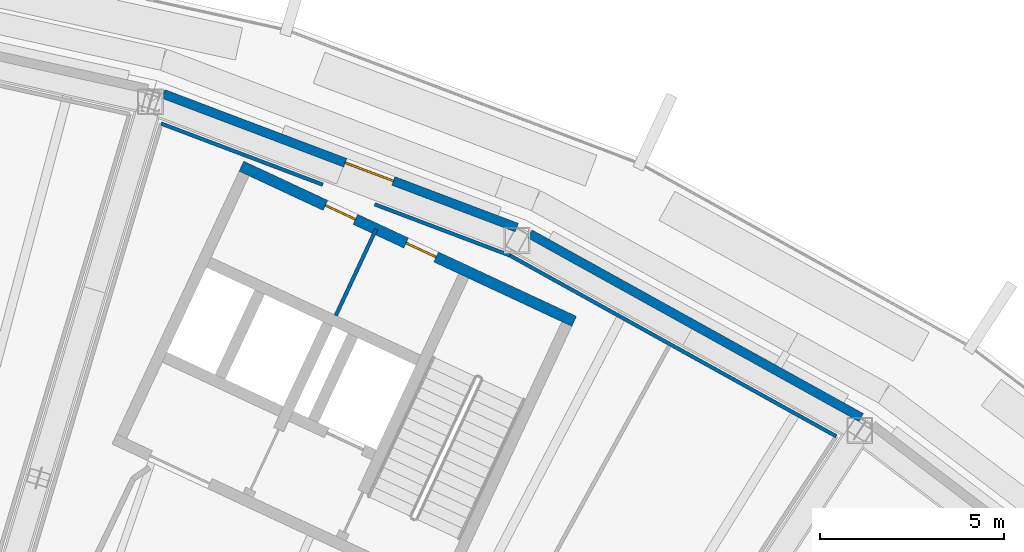
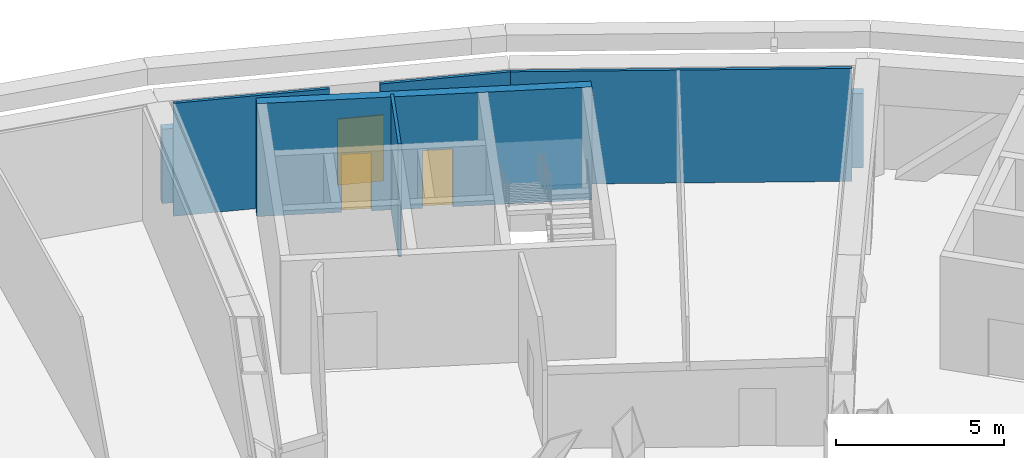
# One storey, part 12 of 25: 7 walls, 3 doors, 3 openings.
"""IFC4 building model written with IfcOpenShell, lengths in metres."""

import ifcopenshell
import ifcopenshell.guid

model = None  # the IFC model being written
_history = None  # IfcOwnerHistory: only IFC2X3 demands one
_inside = {}  # id of a spatial element -> (the spatial element, [elements in it])
_under = {}  # id of a project, library or spatial element -> (it, [spatial elements below it])
_declared = {}  # id of a project -> (the project, [libraries it declares])
_typed = {}  # id of a type object -> (the type object, [elements of that type])
_made_of = {}  # id of a material, layer set ... -> (it, [elements and type objects made of it])


def new_model(schema):
    """Start an empty IFC model of exactly this schema.

    Asked for "IFC4X3", IfcOpenShell would pick the latest addendum, in which some entities
    have other attributes; the version numbers below select the first issue.
    IFC2X3 requires an IfcOwnerHistory on every rooted entity: one is made here for all.
    """
    global model, _history
    if schema == "IFC4X3":
        model = ifcopenshell.file(schema_version=(4, 3, 0, 0))
    else:
        model = ifcopenshell.file(schema=schema)
    _inside.clear()
    _under.clear()
    _declared.clear()
    _typed.clear()
    _made_of.clear()
    _history = None
    if model.schema == "IFC2X3":
        org = make("IfcOrganization", Name="unknown")
        user = make(
            "IfcPersonAndOrganization",
            ThePerson=make("IfcPerson", FamilyName="unknown"),
            TheOrganization=org,
        )
        app = make(
            "IfcApplication",
            ApplicationDeveloper=org,
            Version="unknown",
            ApplicationFullName="unknown",
            ApplicationIdentifier="unknown",
        )
        _history = make(
            "IfcOwnerHistory",
            OwningUser=user,
            OwningApplication=app,
            ChangeAction="ADDED",
            CreationDate=0,
        )
    return model


def make(cls, **values):
    """One entity of the class cls with the attributes given. An attribute that is None is left unset."""
    return model.create_entity(
        cls, **{name: value for name, value in values.items() if value is not None}
    )


def rooted(cls, **values):
    """An entity with a GlobalId (a new one), such as an element, a storey or a relation."""
    return make(cls, GlobalId=ifcopenshell.guid.new(), OwnerHistory=_history, **values)


def si_unit(unit_type, name, prefix=None):
    """IfcSIUnit, for example si_unit("LENGTHUNIT", "METRE", prefix="MILLI")."""
    return make("IfcSIUnit", UnitType=unit_type, Prefix=prefix, Name=name)


def assignment(units):
    """IfcUnitAssignment: the units of a project."""
    return None if units is None else make("IfcUnitAssignment", Units=units)


def point(xyz):
    """IfcCartesianPoint."""
    return None if xyz is None else make("IfcCartesianPoint", Coordinates=xyz)


def direction(xyz):
    """IfcDirection."""
    return None if xyz is None else make("IfcDirection", DirectionRatios=xyz)


def frame(location, z_axis=None, x_axis=None):
    """IfcAxis2Placement3D, a coordinate frame: its origin and axes. An axis left out is left unset."""
    return make(
        "IfcAxis2Placement3D",
        Location=point(location),
        Axis=direction(z_axis),
        RefDirection=direction(x_axis),
    )


def frame_2d(location, x_axis=None):
    """IfcAxis2Placement2D, a coordinate frame in the plane: its origin and x axis."""
    return make(
        "IfcAxis2Placement2D", Location=point(location), RefDirection=direction(x_axis)
    )


def origin():
    """The frame at (0, 0, 0) with its axes left unset."""
    return frame((0.0, 0.0, 0.0))


def place(relative_to, where):
    """IfcLocalPlacement: puts the frame where relative to a parent placement (None: the world)."""
    return make(
        "IfcLocalPlacement", PlacementRelTo=relative_to, RelativePlacement=where
    )


def context(
    kind, dimensions, precision=None, world=None, true_north=None, identifier=None
):
    """IfcGeometricRepresentationContext, for example the 3D "Model" context."""
    return make(
        "IfcGeometricRepresentationContext",
        ContextIdentifier=identifier,
        ContextType=kind,
        CoordinateSpaceDimension=dimensions,
        Precision=precision,
        WorldCoordinateSystem=world,
        TrueNorth=true_north,
    )


def subcontext(parent, identifier, kind, view, scale=None):
    """IfcGeometricRepresentationSubContext, for example "Body" below "Model"."""
    return make(
        "IfcGeometricRepresentationSubContext",
        ContextIdentifier=identifier,
        ContextType=kind,
        ParentContext=parent,
        TargetScale=scale,
        TargetView=view,
    )


def project(units=None, contexts=None):
    """IfcProject with its units and contexts."""
    return rooted(
        "IfcProject",
        Name="project",
        RepresentationContexts=contexts,
        UnitsInContext=assignment(units),
    )


def spatial(cls, under=None, at=None, **own):
    """A site, building, storey or space (cls), placed at a placement, below another one or the project."""
    s = rooted(cls, ObjectPlacement=at, **own)
    if under is not None:
        _under.setdefault(under.id(), (under, []))[1].append(s)
    return s


def profile(cls, at=None, kind="AREA", **sizes):
    """A parametric profile (cls). Its sizes go by their IFC names, for example OverallWidth=200.0."""
    return make(cls, ProfileType=kind, Position=at, **sizes)


def rectangle(**sizes):
    """IfcRectangleProfileDef."""
    return profile("IfcRectangleProfileDef", **sizes)


def extrude(swept, where, along, depth):
    """IfcExtrudedAreaSolid: the profile swept, set in the frame where, extruded along a direction by depth."""
    return make(
        "IfcExtrudedAreaSolid",
        SweptArea=swept,
        Position=where,
        ExtrudedDirection=direction(along),
        Depth=depth,
    )


def shape(context_of_items, identifier, shape_type, items):
    """IfcShapeRepresentation: the items that make up one representation, for example the "Body"."""
    return make(
        "IfcShapeRepresentation",
        ContextOfItems=context_of_items,
        RepresentationIdentifier=identifier,
        RepresentationType=shape_type,
        Items=items,
    )


def material(Name=None, Category=None):
    """IfcMaterial."""
    return make("IfcMaterial", Name=Name, Category=Category)


def layer(
    of_material, thickness, ventilated=None, Name=None, Category=None, Priority=None
):
    """IfcMaterialLayer: one layer of a wall or slab, of a material (None: an air gap)."""
    return make(
        "IfcMaterialLayer",
        Material=of_material,
        LayerThickness=thickness,
        IsVentilated=ventilated,
        Name=Name,
        Category=Category,
        Priority=Priority,
    )


def layer_set(layers, Name=None):
    """IfcMaterialLayerSet."""
    return make("IfcMaterialLayerSet", MaterialLayers=layers, LayerSetName=Name)


def made_of(thing, what):
    """Note that an element or type object is made of a material, layer set ...; save() writes the relation."""
    if what is not None:
        _made_of.setdefault(what.id(), (what, []))[1].append(thing)
    return thing


def type_object(cls, material=None, **own):
    """A type object (cls), such as IfcWallType, which elements share."""
    return made_of(rooted(cls, **own), material)


def element(
    cls,
    number,
    at=None,
    inside=None,
    cuts=None,
    type_object=None,
    material=None,
    context=None,
    identifier="Body",
    shape_type=None,
    held_by="IfcProductDefinitionShape",
    body=None,
    shapes=None,
    **own,
):
    """One element of the class cls, such as IfcWall. Its Tag is "e" and its number.

    at: its placement. inside: the storey or other place that contains it. cuts: it is an
    opening in that element (IfcRelVoidsElement). A single representation is given by context,
    identifier, shape_type and body (its items); several are given by shapes. held_by: the class
    of the entity that holds the representations. save() writes the other relations.
    """
    e = rooted(cls, Tag="e%d" % number, ObjectPlacement=at, **own)
    if body is not None:
        shapes = [shape(context, identifier, shape_type, body)]
    if shapes is not None:
        e.Representation = make(held_by, Representations=shapes)
    if inside is not None:
        _inside.setdefault(inside.id(), (inside, []))[1].append(e)
    if cuts is not None:
        rooted(
            "IfcRelVoidsElement", RelatingBuildingElement=cuts, RelatedOpeningElement=e
        )
    if type_object is not None:
        _typed.setdefault(type_object.id(), (type_object, []))[1].append(e)
    return made_of(e, material)


def fill(opening, filler):
    """IfcRelFillsElement: the door or window that sits in an opening."""
    return rooted(
        "IfcRelFillsElement",
        RelatingOpeningElement=opening,
        RelatedBuildingElement=filler,
    )


def aggregate(whole, parts):
    """IfcRelAggregates: a whole, such as a stair, and the parts it consists of."""
    return rooted("IfcRelAggregates", RelatingObject=whole, RelatedObjects=parts)


def save(model, path):
    """Write the relations noted so far, then the file.

    IfcRelAggregates (storeys below a building ...), IfcRelContainedInSpatialStructure (elements
    in a storey), IfcRelDefinesByType, IfcRelAssociatesMaterial and IfcRelDeclares: one each for
    every whole, place, type object, material and project.
    """
    for whole, parts in _under.values():
        aggregate(whole, parts)
    for where, things in _inside.values():
        rooted(
            "IfcRelContainedInSpatialStructure",
            RelatedElements=things,
            RelatingStructure=where,
        )
    for kind, things in _typed.values():
        rooted("IfcRelDefinesByType", RelatedObjects=things, RelatingType=kind)
    for what, things in _made_of.values():
        rooted("IfcRelAssociatesMaterial", RelatedObjects=things, RelatingMaterial=what)
    for by, libraries in _declared.values():
        rooted("IfcRelDeclares", RelatingContext=by, RelatedDefinitions=libraries)
    model.write(path)


model = new_model("IFC4")

# Units and contexts
model_context = context("Model", 3, precision=1e-05, world=origin(), true_north=direction((0.0, 1.0)))
body_context = subcontext(model_context, "Body", "Model", "MODEL_VIEW")
ifc_project = project(units=[si_unit("LENGTHUNIT", "METRE"), si_unit("AREAUNIT", "SQUARE_METRE"), si_unit("VOLUMEUNIT", "CUBIC_METRE"), si_unit("PLANEANGLEUNIT", "RADIAN"), si_unit("MASSUNIT", "GRAM", prefix="KILO")], contexts=[model_context])

# Site, building, storey
site_placement = place(None, origin())
site = spatial("IfcSite", under=ifc_project, at=site_placement, CompositionType="ELEMENT")
building_placement = place(site_placement, origin())
building = spatial("IfcBuilding", under=site, at=building_placement, Name="Tuul Gate Civic Tower", CompositionType="ELEMENT")
storey_placement = place(building_placement, frame((0.0, 0.0, 133.699951171875)))
storey = spatial("IfcBuildingStorey", under=building, at=storey_placement, Name="Plant and refuge floor 4", CompositionType="ELEMENT", Elevation=133.699951171875)

# Wall, openings, doors
ifc_material_1 = material(Name="Concrete C50/60", Category="concrete")
ifc_layer_1 = layer(ifc_material_1, 0.300048828125)
ifc_layer_set_1 = layer_set([ifc_layer_1], Name="Concrete C50/60")
wall_type_1 = type_object("IfcWallType", Name="Core wall C50/60", PredefinedType="SHEAR", material=ifc_layer_set_1)
wall_1_placement = place(storey_placement, frame((37.993408203125, 0.181884765625, 0.0), z_axis=(0.0, 0.0, 1.0), x_axis=(-0.906310338845, 0.422612789327, 0.0)))
wall_1 = element("IfcWall", 1, at=wall_1_placement, inside=storey, type_object=wall_type_1, Name="Core wall", PredefinedType="SHEAR", context=body_context, shape_type="SweptSolid", body=[
    extrude(rectangle(XDim=9.999755859375, YDim=0.300048828125, at=frame_2d((5.0, 0.0))), origin(), (0.0, 0.0, 1.0), 4.10009765625),
])
opening_1_placement = place(wall_1_placement, frame((4.14990234375, 0.0, 0.0)))
opening_1 = element("IfcOpeningElement", 2, at=opening_1_placement, cuts=wall_1, Name="Opening PB-D30", PredefinedType="OPENING", context=body_context, shape_type="SweptSolid", body=[
    extrude(rectangle(XDim=0.89990234375, YDim=2.10009765625, at=frame_2d((0.449951171875, 1.050048828125))), frame((0.0, 0.16015625, 0.0), z_axis=(0.0, -1.0, 0.0), x_axis=(1.0, 0.0, 0.0)), (0.0, 0.0, 1.0), 0.320068359375),
])
opening_2_placement = place(wall_1_placement, frame((6.574951171875, 0.0, 0.0)))
opening_2 = element("IfcOpeningElement", 3, at=opening_2_placement, cuts=wall_1, Name="Opening PB-D31", PredefinedType="OPENING", context=body_context, shape_type="SweptSolid", body=[
    extrude(rectangle(XDim=0.89990234375, YDim=2.10009765625, at=frame_2d((0.449951171875, 1.050048828125))), frame((0.0, 0.16015625, 0.0), z_axis=(0.0, -1.0, 0.0), x_axis=(1.0, 0.0, 0.0)), (0.0, 0.0, 1.0), 0.320068359375),
])
ifc_material_2 = material(Name="Timber door leaf", Category="wood")
door_type_1 = type_object("IfcDoorType", Name="Door D09", OperationType="NOTDEFINED", PredefinedType="DOOR", material=ifc_material_2)
door_1_placement = place(opening_1_placement, origin())
door_1 = element("IfcDoor", 4, at=door_1_placement, inside=storey, type_object=door_type_1, Name="Door PB-D30", OperationType="SINGLE_SWING_LEFT", OverallHeight=2.10009765625, OverallWidth=0.89990234375, PredefinedType="DOOR", context=body_context, shape_type="SweptSolid", body=[
    extrude(rectangle(XDim=0.89990234375, YDim=2.10009765625, at=frame_2d((0.449951171875, 1.050048828125))), frame((0.0, 0.02490234375, 0.0), z_axis=(0.0, -1.0, 0.0), x_axis=(1.0, 0.0, 0.0)), (0.0, 0.0, 1.0), 0.050048828125),
])
fill(opening_1, door_1)
door_2_placement = place(opening_2_placement, origin())
door_2 = element("IfcDoor", 5, at=door_2_placement, inside=storey, type_object=door_type_1, Name="Door PB-D31", OperationType="SINGLE_SWING_LEFT", OverallHeight=2.10009765625, OverallWidth=0.89990234375, PredefinedType="DOOR", context=body_context, shape_type="SweptSolid", body=[
    extrude(rectangle(XDim=0.89990234375, YDim=2.10009765625, at=frame_2d((0.449951171875, 1.050048828125))), frame((0.0, 0.02490234375, 0.0), z_axis=(0.0, -1.0, 0.0), x_axis=(1.0, 0.0, 0.0)), (0.0, 0.0, 1.0), 0.050048828125),
])
fill(opening_2, door_2)

# Wall
ifc_material_3 = material(Name="Precast concrete C40/50", Category="concrete")
ifc_layer_2 = layer(ifc_material_3, 0.25)
ifc_layer_set_2 = layer_set([ifc_layer_2], Name="Precast concrete C40/50")
wall_type_2 = type_object("IfcWallType", Name="External wall 2700 HIGH", PredefinedType="STANDARD", material=ifc_layer_set_2)
wall_2_placement = place(storey_placement, frame((45.815673828125, -2.44091796875, 0.0), z_axis=(0.0, 0.0, 1.0), x_axis=(-0.874636614574, 0.484779117173, 0.0)))
element("IfcWall", 6, at=wall_2_placement, inside=storey, type_object=wall_type_2, Name="External wall", PredefinedType="STANDARD", context=body_context, shape_type="SweptSolid", body=[
    extrude(rectangle(XDim=10.321533203125, YDim=0.25, at=frame_2d((5.16064453125, 0.0))), origin(), (0.0, 0.0, 1.0), 2.699951171875),
])

# Wall, opening, door
wall_3_placement = place(storey_placement, frame((36.432373046875, 2.735107421875, 0.0), z_axis=(0.0, 0.0, 1.0), x_axis=(-0.935349236312, 0.353725608531, 0.0)))
wall_3 = element("IfcWall", 7, at=wall_3_placement, inside=storey, type_object=wall_type_2, Name="External wall", PredefinedType="STANDARD", context=body_context, shape_type="SweptSolid", body=[
    extrude(rectangle(XDim=10.297119140625, YDim=0.25, at=frame_2d((5.1484375, 0.0))), origin(), (0.0, 0.0, 1.0), 2.699951171875),
])
opening_3_placement = place(wall_3_placement, frame((3.595947265625, 0.0, 0.0)))
opening_3 = element("IfcOpeningElement", 8, at=opening_3_placement, cuts=wall_3, Name="Opening TD", PredefinedType="OPENING", context=body_context, shape_type="SweptSolid", body=[
    extrude(rectangle(XDim=1.39990234375, YDim=2.39990234375, at=frame_2d((0.699951171875, 1.199951171875))), frame((0.0, 0.135009765625, 0.0), z_axis=(0.0, -1.0, 0.0), x_axis=(1.0, 0.0, 0.0)), (0.0, 0.0, 1.0), 0.27001953125),
])
ifc_material_4 = material(Name="Glazed aluminium", Category="aluminium")
door_type_2 = type_object("IfcDoorType", Name="Terrace door", OperationType="DOUBLE_DOOR_SINGLE_SWING", PredefinedType="DOOR", material=ifc_material_4)
door_3_placement = place(opening_3_placement, origin())
door_3 = element("IfcDoor", 9, at=door_3_placement, inside=storey, type_object=door_type_2, Name="Terrace door", OperationType="DOUBLE_DOOR_SINGLE_SWING", OverallHeight=2.39990234375, OverallWidth=1.39990234375, PredefinedType="DOOR", context=body_context, shape_type="SweptSolid", body=[
    extrude(rectangle(XDim=1.39990234375, YDim=2.39990234375, at=frame_2d((0.699951171875, 1.199951171875))), frame((0.0, 0.02490234375, 0.0), z_axis=(0.0, -1.0, 0.0), x_axis=(1.0, 0.0, 0.0)), (0.0, 0.0, 1.0), 0.050048828125),
])
fill(opening_3, door_3)

# Walls
ifc_material_5 = material(Name="Gypsum board partition")
ifc_layer_3 = layer(ifc_material_5, 0.10009765625)
ifc_layer_set_3 = layer_set([ifc_layer_3], Name="Gypsum board partition")
wall_type_3 = type_object("IfcWallType", Name="Partition P100", PredefinedType="PARTITIONING", material=ifc_layer_set_3)
wall_4_placement = place(storey_placement, frame((36.248291015625, 1.9755859375, 0.0), z_axis=(0.0, 0.0, 1.0), x_axis=(0.874622714479, -0.484804194822, 0.0)))
element("IfcWall", 10, at=wall_4_placement, inside=storey, type_object=wall_type_3, Name="p077", PredefinedType="PARTITIONING", context=body_context, shape_type="SweptSolid", body=[
    extrude(rectangle(XDim=10.160400390625, YDim=0.10009765625, at=frame_2d((5.080078125, 0.0))), origin(), (0.0, 0.0, 1.0), 4.10009765625),
])
wall_5_placement = place(storey_placement, frame((26.744384765625, 5.570068359375, 0.0), z_axis=(0.0, 0.0, 1.0), x_axis=(0.935336362344, -0.353759649023, 0.0)))
element("IfcWall", 11, at=wall_5_placement, inside=storey, type_object=wall_type_3, Name="p080", PredefinedType="PARTITIONING", context=body_context, shape_type="SweptSolid", body=[
    extrude(rectangle(XDim=4.706787109375, YDim=0.10009765625, at=frame_2d((2.353515625, 0.0))), origin(), (0.0, 0.0, 1.0), 4.10009765625),
])
wall_6_placement = place(storey_placement, frame((31.502197265625, 0.33984375, 0.0), z_axis=(0.0, 0.0, 1.0), x_axis=(0.422556439746, 0.906336612539, 0.0)))
element("IfcWall", 12, at=wall_6_placement, inside=storey, type_object=wall_type_3, Name="bE3-BAND-0", PredefinedType="PARTITIONING", context=body_context, shape_type="SweptSolid", body=[
    extrude(rectangle(XDim=2.599853515625, YDim=0.10009765625, at=frame_2d((1.2998046875, 0.0))), origin(), (0.0, 0.0, 1.0), 4.10009765625),
])
wall_7_placement = place(storey_placement, frame((32.560791015625, 3.3701171875, 0.0), z_axis=(0.0, 0.0, 1.0), x_axis=(0.935348288983, -0.353728113524, 0.0)))
element("IfcWall", 13, at=wall_7_placement, inside=storey, type_object=wall_type_3, Name="p080", PredefinedType="PARTITIONING", context=body_context, shape_type="SweptSolid", body=[
    extrude(rectangle(XDim=3.9423828125, YDim=0.10009765625, at=frame_2d((1.97119140625, 0.0))), origin(), (0.0, 0.0, 1.0), 4.10009765625),
])

save(model, "model.ifc")
